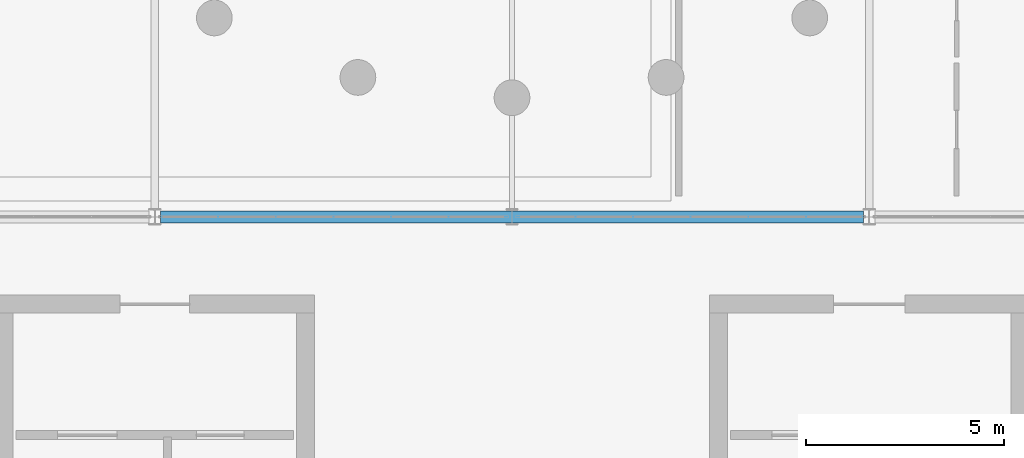
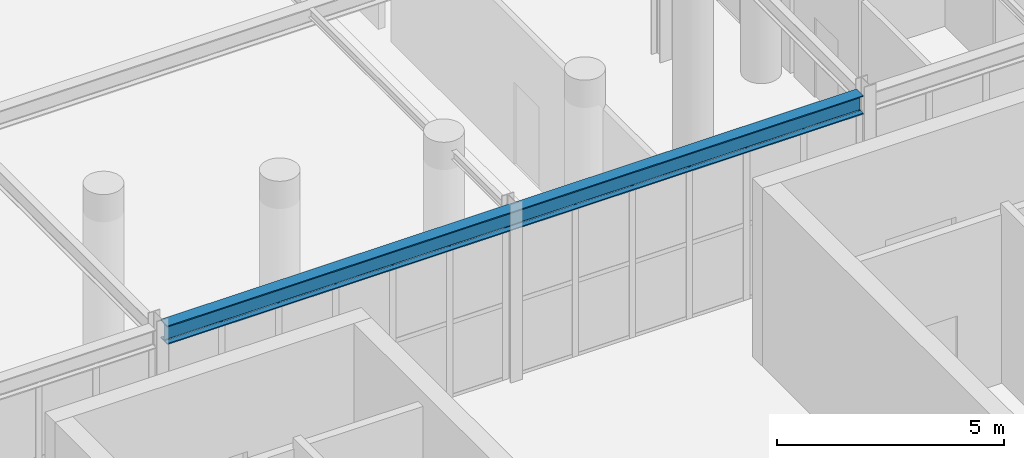
# One storey, part 4 of 29: 1 beam.
"""IFC4 building model written with IfcOpenShell, lengths in metres."""

from ifc_helpers import new_model, si_unit, direction, frame, origin, origin_2d, place, context, subcontext, project, spatial, i_section, extrude, material, material_profile, profile_set, type_object, element, save


model = new_model("IFC4")

# Units and contexts
model_context = context("Model", 3, precision=1e-05, world=origin(), true_north=direction((0.0, 1.0)))
body_context = subcontext(model_context, "Body", "Model", "MODEL_VIEW")
ifc_project = project(units=[si_unit("LENGTHUNIT", "METRE"), si_unit("AREAUNIT", "SQUARE_METRE"), si_unit("VOLUMEUNIT", "CUBIC_METRE"), si_unit("PLANEANGLEUNIT", "RADIAN"), si_unit("MASSUNIT", "GRAM", prefix="KILO")], contexts=[model_context])

# Site, building, storey
site_placement = place(None, origin())
site = spatial("IfcSite", under=ifc_project, at=site_placement, CompositionType="ELEMENT")
building_placement = place(site_placement, origin())
building = spatial("IfcBuilding", under=site, at=building_placement, Name="Dornveld Trade and Exhibition Forum", CompositionType="ELEMENT")
storey_placement = place(building_placement, frame((0.0, 0.0, 21.60009765625)))
storey = spatial("IfcBuildingStorey", under=building, at=storey_placement, Name="L04", CompositionType="ELEMENT", Elevation=21.60009765625)

# Beam
ifc_material = material(Name="Steel S355J2", Category="steel")
ifc_material_profile = material_profile(ifc_material, i_section(OverallWidth=0.300048828125, OverallDepth=0.5, WebThickness=0.014404296875, FlangeThickness=0.028076171875, FilletRadius=0.027099609375, at=origin_2d()), Name="HEB 500")
ifc_profile_set = profile_set([ifc_material_profile], Name="Steel S355J2")
beam_type = type_object("IfcBeamType", Name="BM-GIR-HEB500", PredefinedType="USERDEFINED", material=ifc_profile_set)
beam_placement = place(storey_placement, frame((108.14599609375, 63.0, 4.2998046875), z_axis=(1.0, 0.0, 0.0), x_axis=(0.0, 1.0, 0.0)))
element("IfcBeam", 1, at=beam_placement, inside=storey, type_object=beam_type, Name="L04 X-girder 1675", ObjectType="GIRDER", PredefinedType="USERDEFINED", context=body_context, shape_type="SweptSolid", body=[
    extrude(i_section(OverallWidth=0.300048828125, OverallDepth=0.5, WebThickness=0.014404296875, FlangeThickness=0.028076171875, FilletRadius=0.027099609375, at=origin_2d()), origin(), (0.0, 0.0, 1.0), 17.7080078125),
])

save(model, "model.ifc")
